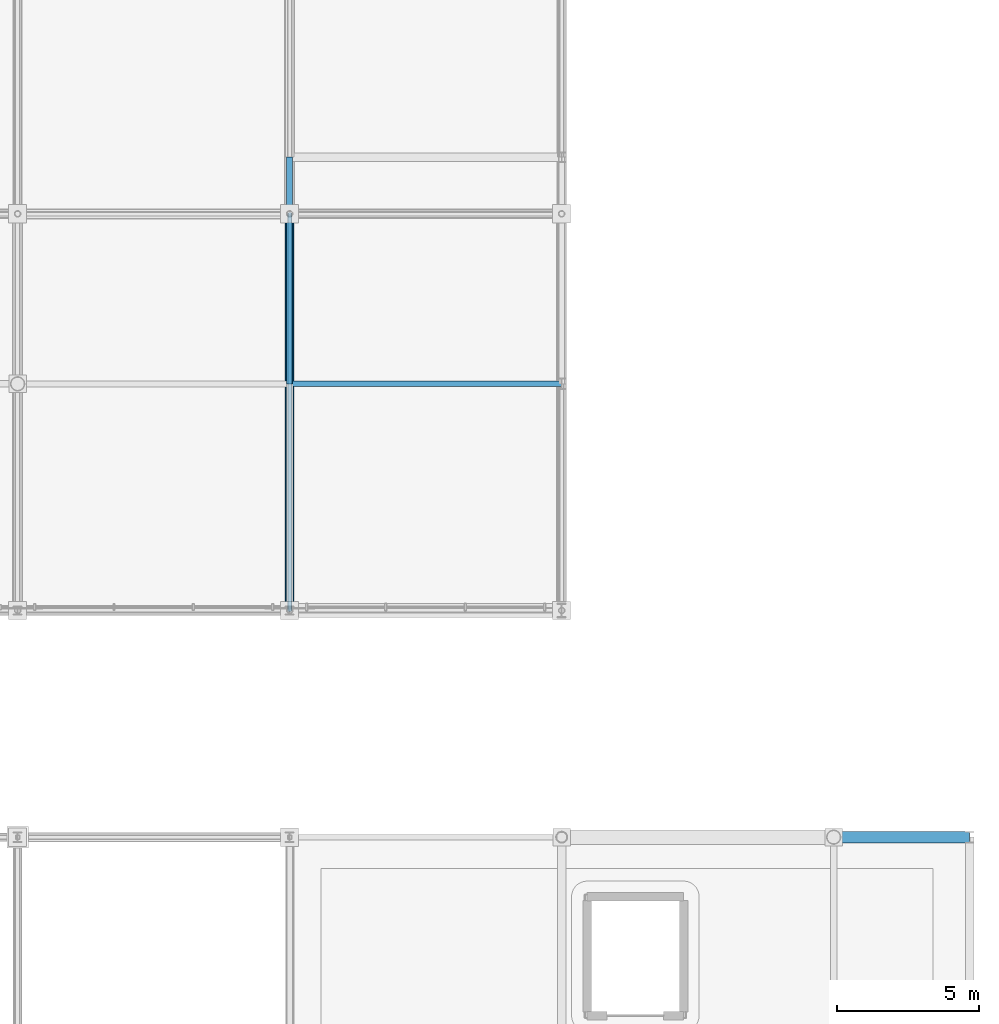
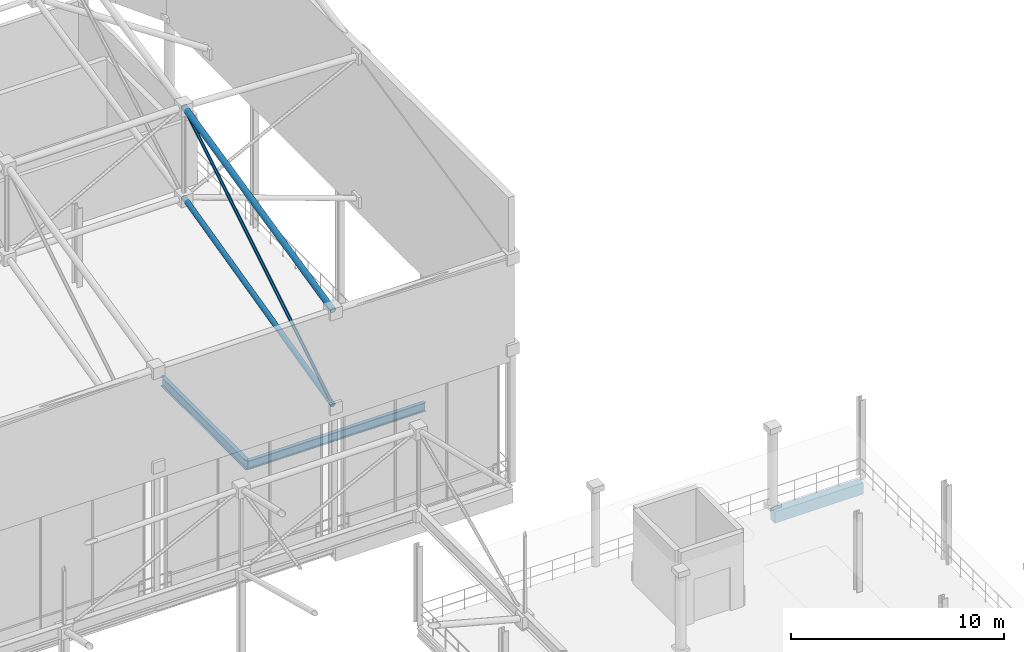
# One storey, part 117 of 193: 3 beams, 3 members.
"""IFC4 building model written with IfcOpenShell, lengths in metres."""

from ifc_helpers import new_model, si_unit, direction, frame, origin, origin_2d, place, context, subcontext, project, spatial, rectangle, hollow_circle, i_section, extrude, material, material_profile, profile_set, type_object, element, save


model = new_model("IFC4")

# Units and contexts
model_context = context("Model", 3, precision=1e-05, world=origin(), true_north=direction((0.0, 1.0)))
body_context = subcontext(model_context, "Body", "Model", "MODEL_VIEW")
ifc_project = project(units=[si_unit("LENGTHUNIT", "METRE"), si_unit("AREAUNIT", "SQUARE_METRE"), si_unit("VOLUMEUNIT", "CUBIC_METRE"), si_unit("PLANEANGLEUNIT", "RADIAN"), si_unit("MASSUNIT", "GRAM", prefix="KILO")], contexts=[model_context])

# Site, building, storey
site_placement = place(None, origin())
site = spatial("IfcSite", under=ifc_project, at=site_placement, CompositionType="ELEMENT")
building_placement = place(site_placement, origin())
building = spatial("IfcBuilding", under=site, at=building_placement, Name="Danafjord Basin Convention Centre", CompositionType="ELEMENT")
storey_placement = place(building_placement, frame((0.0, 0.0, 11.39990234375)))
storey = spatial("IfcBuildingStorey", under=building, at=storey_placement, Name="L02", CompositionType="ELEMENT", Elevation=11.39990234375)

# Beams
ifc_material_1 = material(Name="Steel S355", Category="steel")
ifc_material_profile_1 = material_profile(ifc_material_1, i_section(OverallWidth=0.199951171875, OverallDepth=0.5, WebThickness=0.01025390625, FlangeThickness=0.01611328125, FilletRadius=0.02099609375, at=origin_2d()), Name="IPE 500")
ifc_profile_set_1 = profile_set([ifc_material_profile_1], Name="Steel S355")
beam_type_1 = type_object("IfcBeamType", Name="BEAM-BM-IPE500", PredefinedType="BEAM", material=ifc_profile_set_1)
beam_1_placement = place(storey_placement, frame((192.0, 96.0, -0.60986328125), z_axis=(1.0, 0.0, 0.0), x_axis=(0.0, 1.0, 0.0)))
element("IfcBeam", 1, at=beam_1_placement, inside=storey, type_object=beam_type_1, Name="L02 girder BM-IPE500", PredefinedType="BEAM", context=body_context, shape_type="SweptSolid", body=[
    extrude(i_section(OverallWidth=0.199951171875, OverallDepth=0.5, WebThickness=0.01025390625, FlangeThickness=0.01611328125, FilletRadius=0.02099609375, at=origin_2d()), origin(), (0.0, 0.0, 1.0), 9.60009765625),
])
ifc_material_profile_2 = material_profile(ifc_material_1, i_section(OverallWidth=0.2099609375, OverallDepth=0.550048828125, WebThickness=0.010986328125, FlangeThickness=0.01708984375, FilletRadius=0.02392578125, at=origin_2d()), Name="IPE 550")
ifc_profile_set_2 = profile_set([ifc_material_profile_2], Name="Steel S355")
beam_type_2 = type_object("IfcBeamType", Name="BEAM-BM-IPE550", PredefinedType="BEAM", material=ifc_profile_set_2)
beam_2_placement = place(storey_placement, frame((192.0, 96.0, -0.635009765625), z_axis=(0.0, 1.0, 0.0), x_axis=(-1.0, 0.0, 0.0)))
element("IfcBeam", 2, at=beam_2_placement, inside=storey, type_object=beam_type_2, Name="L02 transverse girder BM-IPE550", PredefinedType="BEAM", context=body_context, shape_type="SweptSolid", body=[
    extrude(i_section(OverallWidth=0.2099609375, OverallDepth=0.550048828125, WebThickness=0.010986328125, FlangeThickness=0.01708984375, FilletRadius=0.02392578125, at=origin_2d()), origin(), (0.0, 0.0, 1.0), 8.0),
])
ifc_material_2 = material(Name="Precast concrete C45/55", Category="concrete")
ifc_material_profile_3 = material_profile(ifc_material_2, rectangle(XDim=0.39990234375, YDim=0.64990234375, at=origin_2d()), Name="PCB 400x650")
ifc_profile_set_3 = profile_set([ifc_material_profile_3], Name="Precast concrete C45/55")
beam_type_3 = type_object("IfcBeamType", Name="BEAM-SP-PCB650", PredefinedType="SPANDREL", material=ifc_profile_set_3)
beam_3_placement = place(storey_placement, frame((211.199951171875, 80.0, -0.554931640625), z_axis=(1.0, 0.0, 0.0), x_axis=(0.0, 1.0, 0.0)))
element("IfcBeam", 3, at=beam_3_placement, inside=storey, type_object=beam_type_3, Name="L02 girder SP-PCB650", PredefinedType="SPANDREL", context=body_context, shape_type="SweptSolid", body=[
    extrude(rectangle(XDim=0.39990234375, YDim=0.64990234375, at=origin_2d()), origin(), (0.0, 0.0, 1.0), 4.800048828125),
])

# Members
ifc_material_profile_4 = material_profile(ifc_material_1, hollow_circle(Radius=0.136474609375, WallThickness=0.012451171875, at=origin_2d()), Name="CHS 273.0x12.5")
ifc_profile_set_4 = profile_set([ifc_material_profile_4], Name="Steel S355")
member_type_1 = type_object("IfcMemberType", Name="MEM-CH-CHS273", PredefinedType="CHORD", material=ifc_profile_set_4)
member_1_placement = place(storey_placement, frame((192.0, 88.0, 7.650146484375), z_axis=(0.0, 0.971599626019, 0.236630865949), x_axis=(-1.0, 0.0, 0.0)))
element("IfcMember", 4, at=member_1_placement, inside=storey, type_object=member_type_1, Name="V2 roof truss transverse bottom chord", PredefinedType="CHORD", context=body_context, shape_type="SweptSolid", body=[
    extrude(hollow_circle(Radius=0.136474609375, WallThickness=0.012451171875, at=origin_2d()), origin(), (0.0, 0.0, 1.0), 14.4091796875),
])
ifc_material_profile_5 = material_profile(ifc_material_1, hollow_circle(Radius=0.161865234375, WallThickness=0.01611328125, at=origin_2d()), Name="CHS 323.9x16.0")
ifc_profile_set_5 = profile_set([ifc_material_profile_5], Name="Steel S355")
member_type_2 = type_object("IfcMemberType", Name="MEM-CH-CHS324", PredefinedType="CHORD", material=ifc_profile_set_5)
member_2_placement = place(storey_placement, frame((192.0, 88.0, 13.0751953125), z_axis=(0.0, 0.975087736104, 0.221819536786), x_axis=(-1.0, 0.0, 0.0)))
element("IfcMember", 5, at=member_2_placement, inside=storey, type_object=member_type_2, Name="V2 roof truss transverse top chord", PredefinedType="CHORD", context=body_context, shape_type="SweptSolid", body=[
    extrude(hollow_circle(Radius=0.161865234375, WallThickness=0.01611328125, at=origin_2d()), origin(), (0.0, 0.0, 1.0), 14.357666015625),
])
ifc_material_profile_6 = material_profile(ifc_material_1, hollow_circle(Radius=0.084228515625, WallThickness=0.008056640625, at=origin_2d()), Name="CHS 168.3x8.0")
ifc_profile_set_6 = profile_set([ifc_material_profile_6], Name="Steel S355")
member_type_3 = type_object("IfcMemberType", Name="MEM-WB-CHS168", PredefinedType="MEMBER", material=ifc_profile_set_6)
member_3_placement = place(storey_placement, frame((192.0, 88.0, 7.650146484375), z_axis=(0.0, 0.851808227972, 0.523853741763), x_axis=(-1.0, 0.0, 0.0)))
element("IfcMember", 6, at=member_3_placement, inside=storey, type_object=member_type_3, Name="V2 space-frame transverse web", PredefinedType="MEMBER", context=body_context, shape_type="SweptSolid", body=[
    extrude(hollow_circle(Radius=0.084228515625, WallThickness=0.008056640625, at=origin_2d()), origin(), (0.0, 0.0, 1.0), 16.435546875),
])

save(model, "model.ifc")
